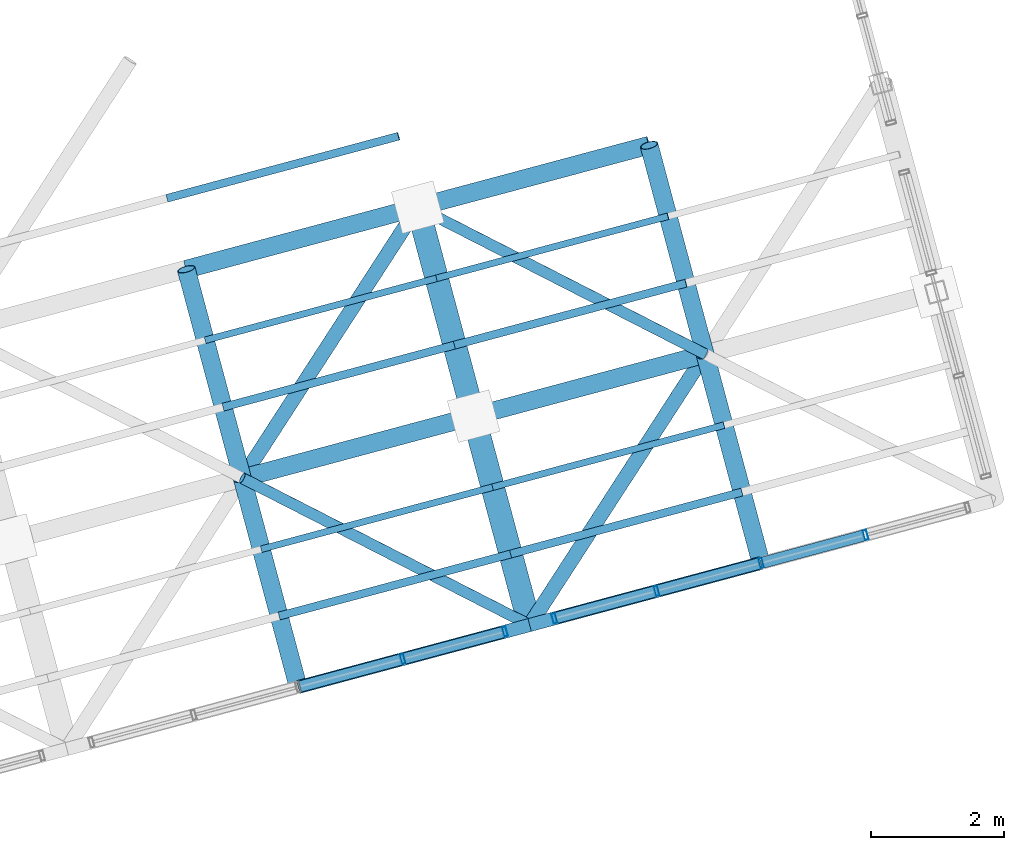
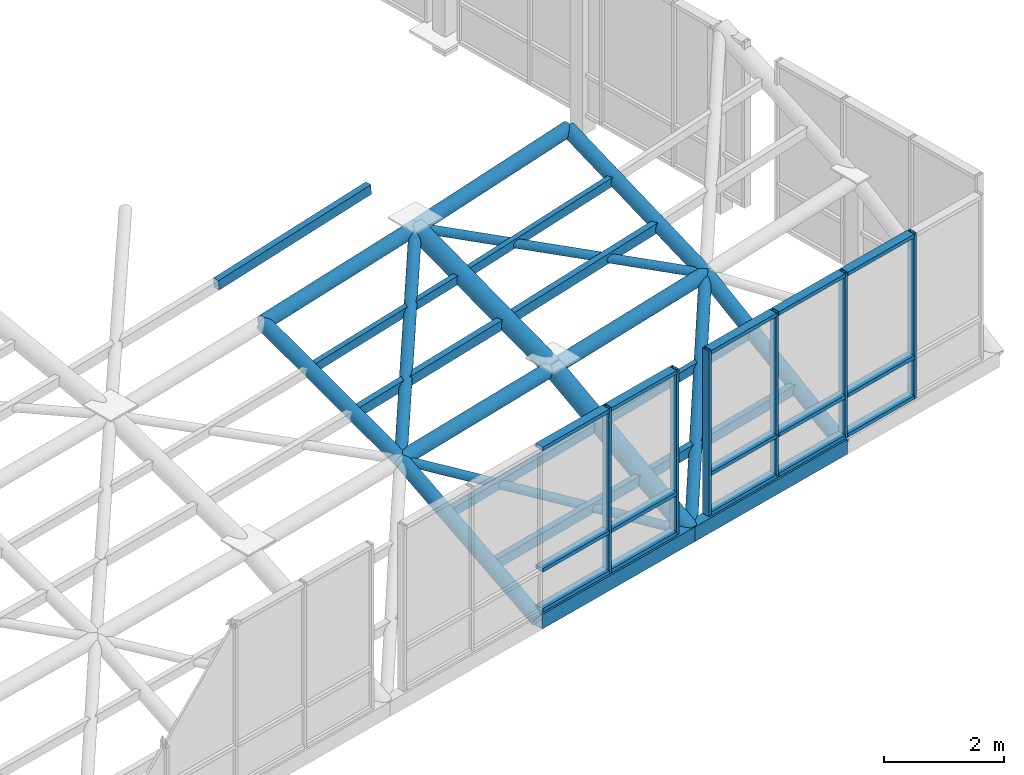
# One storey, part 15 of 29: 46 members, 2 elements without a shape of their own.
"""IFC4 building model written with IfcOpenShell, lengths in metres."""

from ifc_helpers import new_model, si_unit, direction, frame, origin, origin_2d, place, context, subcontext, project, spatial, hollow_rectangle, hollow_circle, extrude, material, layer, layer_set, material_profile, profile_set, type_object, element, aggregate, save


model = new_model("IFC4")

# Units and contexts
model_context = context("Model", 3, precision=1e-05, world=origin(), true_north=direction((0.0, 1.0)))
body_context = subcontext(model_context, "Body", "Model", "MODEL_VIEW")
ifc_project = project(units=[si_unit("LENGTHUNIT", "METRE"), si_unit("AREAUNIT", "SQUARE_METRE"), si_unit("VOLUMEUNIT", "CUBIC_METRE"), si_unit("PLANEANGLEUNIT", "RADIAN"), si_unit("MASSUNIT", "GRAM", prefix="KILO")], contexts=[model_context])

# Site, building, storey
site_placement = place(None, origin())
site = spatial("IfcSite", under=ifc_project, at=site_placement, CompositionType="ELEMENT")
building_placement = place(site_placement, origin())
building = spatial("IfcBuilding", under=site, at=building_placement, Name="Ventoquebrada Cableway Terminal", CompositionType="ELEMENT")
storey_placement = place(building_placement, frame((0.0, 0.0, 18.89990234375)))
storey = spatial("IfcBuildingStorey", under=building, at=storey_placement, Name="L04", CompositionType="ELEMENT", Elevation=18.89990234375)

# Members
ifc_material_1 = material(Name="Steel ASTM A500 Grade C", Category="steel")
ifc_material_profile_1 = material_profile(ifc_material_1, hollow_circle(Radius=0.109619140625, WallThickness=0.010009765625, at=origin_2d()), Name="CHS219.1X10")
ifc_profile_set_1 = profile_set([ifc_material_profile_1], Name="Steel ASTM A500 Grade C")
member_type_1 = type_object("IfcMemberType", Name="BRC-GS01", PredefinedType="BRACE", material=ifc_profile_set_1)
member_1_placement = place(storey_placement, frame((75.47802734375, 79.446044921875, 2.571044921875), z_axis=(0.523852308936, 0.809042998195, 0.266511135777), x_axis=(-0.839402648036, 0.543510068416, 0.0)))
element("IfcMember", 1, at=member_1_placement, inside=storey, type_object=member_type_1, Name="Saddle gridshell diagrid brace GBR-0364", PredefinedType="BRACE", context=body_context, shape_type="SweptSolid", body=[
    extrude(hollow_circle(Radius=0.109619140625, WallThickness=0.010009765625, at=origin_2d()), origin(), (0.0, 0.0, 1.0), 5.031982421875),
])
member_2_placement = place(storey_placement, frame((79.797119140625, 77.238037109375, 0.920166015625), z_axis=(0.506875613407, 0.78282401163, 0.360920599785), x_axis=(-0.839402648036, 0.543510068416, 0.0)))
element("IfcMember", 2, at=member_2_placement, inside=storey, type_object=member_type_1, Name="Saddle gridshell diagrid brace GBR-0385", PredefinedType="BRACE", context=body_context, shape_type="SweptSolid", body=[
    extrude(hollow_circle(Radius=0.109619140625, WallThickness=0.010009765625, at=origin_2d()), origin(), (0.0, 0.0, 1.0), 5.200439453125),
])
ifc_material_profile_2 = material_profile(ifc_material_1, hollow_circle(Radius=0.084228515625, WallThickness=0.008056640625, at=origin_2d()), Name="CHS168.3X8")
ifc_profile_set_2 = profile_set([ifc_material_profile_2], Name="Steel ASTM A500 Grade C")
member_type_2 = type_object("IfcMemberType", Name="BRC-GS02", PredefinedType="BRACE", material=ifc_profile_set_2)
member_3_placement = place(storey_placement, frame((75.47802734375, 79.446044921875, 2.571044921875), z_axis=(0.842916054534, -0.430915877972, -0.322186329815), x_axis=(0.455188209039, 0.890395246142, 0.0)))
element("IfcMember", 3, at=member_3_placement, inside=storey, type_object=member_type_2, Name="Saddle gridshell diagrid brace GBR-0361", PredefinedType="BRACE", context=body_context, shape_type="SweptSolid", body=[
    extrude(hollow_circle(Radius=0.084228515625, WallThickness=0.008056640625, at=origin_2d()), origin(), (0.0, 0.0, 1.0), 5.1240234375),
])
member_4_placement = place(storey_placement, frame((78.114013671875, 83.51708984375, 3.912109375), z_axis=(0.867766030376, -0.443619692427, -0.224017153396), x_axis=(0.455188209039, 0.890395246142, 0.0)))
element("IfcMember", 4, at=member_4_placement, inside=storey, type_object=member_type_2, Name="Saddle gridshell diagrid brace GBR-0388", PredefinedType="BRACE", context=body_context, shape_type="SweptSolid", body=[
    extrude(hollow_circle(Radius=0.084228515625, WallThickness=0.008056640625, at=origin_2d()), origin(), (0.0, 0.0, 1.0), 4.977294921875),
])
ifc_material_profile_3 = material_profile(ifc_material_1, hollow_circle(Radius=0.177734375, WallThickness=0.012451171875, at=origin_2d()), Name="CHS355.6X12.5")
ifc_profile_set_3 = profile_set([ifc_material_profile_3], Name="Steel ASTM A500 Grade C")
member_type_3 = type_object("IfcMemberType", Name="CHD-GS01", PredefinedType="CHORD", material=ifc_profile_set_3)
member_5_placement = place(storey_placement, frame((79.797119140625, 77.238037109375, 0.920166015625), z_axis=(-0.228276649316, 0.850957634171, 0.473033694596), x_axis=(-0.965851091058, -0.25909779988, 0.0)))
element("IfcMember", 5, at=member_5_placement, inside=storey, type_object=member_type_3, Name="Saddle gridshell arch chord GCH-0079", PredefinedType="CHORD", context=body_context, shape_type="SweptSolid", body=[
    extrude(hollow_circle(Radius=0.177734375, WallThickness=0.012451171875, at=origin_2d()), origin(), (0.0, 0.0, 1.0), 3.688720703125),
])
member_6_placement = place(storey_placement, frame((78.955078125, 80.376953125, 2.6650390625), z_axis=(-0.24155923497, 0.901867889749, 0.358166784391), x_axis=(-0.965951403156, -0.258723572063, 0.0)))
element("IfcMember", 6, at=member_6_placement, inside=storey, type_object=member_type_3, Name="Saddle gridshell arch chord GCH-0080", PredefinedType="CHORD", context=body_context, shape_type="SweptSolid", body=[
    extrude(hollow_circle(Radius=0.177734375, WallThickness=0.012451171875, at=origin_2d()), origin(), (0.0, 0.0, 1.0), 3.48193359375),
])
ifc_material_profile_4 = material_profile(ifc_material_1, hollow_circle(Radius=0.136474609375, WallThickness=0.012451171875, at=origin_2d()), Name="CHS273.0X12.5")
ifc_profile_set_4 = profile_set([ifc_material_profile_4], Name="Steel ASTM A500 Grade C")
member_type_4 = type_object("IfcMemberType", Name="CHD-GS02", PredefinedType="CHORD", material=ifc_profile_set_4)
member_7_placement = place(storey_placement, frame((76.319091796875, 76.305908203125, 0.920166015625), z_axis=(-0.230681998536, 0.861257435464, 0.452792938781), x_axis=(-0.965951403156, -0.258723572063, 0.0)))
element("IfcMember", 7, at=member_7_placement, inside=storey, type_object=member_type_4, Name="Saddle gridshell arch chord GCH-0071", PredefinedType="CHORD", context=body_context, shape_type="SweptSolid", body=[
    extrude(hollow_circle(Radius=0.136474609375, WallThickness=0.012451171875, at=origin_2d()), origin(), (0.0, 0.0, 1.0), 3.64599609375),
])
member_8_placement = place(storey_placement, frame((75.47802734375, 79.446044921875, 2.571044921875), z_axis=(-0.243300598354, 0.908016195366, 0.341044583295), x_axis=(-0.965926253902, -0.258817449225, 0.0)))
element("IfcMember", 8, at=member_8_placement, inside=storey, type_object=member_type_4, Name="Saddle gridshell arch chord GCH-0072", PredefinedType="CHORD", context=body_context, shape_type="SweptSolid", body=[
    extrude(hollow_circle(Radius=0.136474609375, WallThickness=0.012451171875, at=origin_2d()), origin(), (0.0, 0.0, 1.0), 3.456787109375),
])
member_9_placement = place(storey_placement, frame((83.27392578125, 78.169921875, 0.920166015625), z_axis=(-0.224045488888, 0.836462513392, 0.500134064626), x_axis=(-0.965950063137, -0.258728575007, 0.0)))
element("IfcMember", 9, at=member_9_placement, inside=storey, type_object=member_type_4, Name="Saddle gridshell arch chord GCH-0087", PredefinedType="CHORD", context=body_context, shape_type="SweptSolid", body=[
    extrude(hollow_circle(Radius=0.136474609375, WallThickness=0.012451171875, at=origin_2d()), origin(), (0.0, 0.0, 1.0), 3.7529296875),
])
member_10_placement = place(storey_placement, frame((82.43310546875, 81.30908203125, 2.797119140625), z_axis=(-0.239245616629, 0.892882697532, 0.381473489737), x_axis=(-0.965926253902, -0.258817449225, 0.0)))
element("IfcMember", 10, at=member_10_placement, inside=storey, type_object=member_type_4, Name="Saddle gridshell arch chord GCH-0088", PredefinedType="CHORD", context=body_context, shape_type="SweptSolid", body=[
    extrude(hollow_circle(Radius=0.136474609375, WallThickness=0.012451171875, at=origin_2d()), origin(), (0.0, 0.0, 1.0), 3.515380859375),
])
member_11_placement = place(storey_placement, frame((75.47802734375, 79.446044921875, 2.571044921875), z_axis=(0.965649742818, 0.258532682865, 0.026104139235), x_axis=(-0.258620813366, 0.965978920523, 0.0)))
element("IfcMember", 11, at=member_11_placement, inside=storey, type_object=member_type_4, Name="Saddle gridshell longitudinal chord GLG-0120", PredefinedType="CHORD", context=body_context, shape_type="SweptSolid", body=[
    extrude(hollow_circle(Radius=0.136474609375, WallThickness=0.012451171875, at=origin_2d()), origin(), (0.0, 0.0, 1.0), 3.600830078125),
])
member_12_placement = place(storey_placement, frame((78.955078125, 80.376953125, 2.6650390625), z_axis=(0.965263172552, 0.258695408733, 0.036656421195), x_axis=(-0.258869387716, 0.96591233562, 0.0)))
element("IfcMember", 12, at=member_12_placement, inside=storey, type_object=member_type_4, Name="Saddle gridshell longitudinal chord GLG-0121", PredefinedType="CHORD", context=body_context, shape_type="SweptSolid", body=[
    extrude(hollow_circle(Radius=0.136474609375, WallThickness=0.012451171875, at=origin_2d()), origin(), (0.0, 0.0, 1.0), 3.603271484375),
])
member_13_placement = place(storey_placement, frame((74.636962890625, 82.5849609375, 3.75), z_axis=(0.964916257335, 0.258675064633, 0.044986967762), x_axis=(-0.258937219442, 0.965894153822, 0.0)))
element("IfcMember", 13, at=member_13_placement, inside=storey, type_object=member_type_4, Name="Saddle gridshell longitudinal chord GLG-0130", PredefinedType="CHORD", context=body_context, shape_type="SweptSolid", body=[
    extrude(hollow_circle(Radius=0.136474609375, WallThickness=0.012451171875, at=origin_2d()), origin(), (0.0, 0.0, 1.0), 3.603515625),
])
member_14_placement = place(storey_placement, frame((78.114013671875, 83.51708984375, 3.912109375), z_axis=(0.964098380168, 0.258044863371, 0.062667071461), x_axis=(-0.258553052639, 0.965997059504, 0.0)))
element("IfcMember", 14, at=member_14_placement, inside=storey, type_object=member_type_4, Name="Saddle gridshell longitudinal chord GLG-0131", PredefinedType="CHORD", context=body_context, shape_type="SweptSolid", body=[
    extrude(hollow_circle(Radius=0.136474609375, WallThickness=0.012451171875, at=origin_2d()), origin(), (0.0, 0.0, 1.0), 3.607666015625),
])
ifc_material_profile_5 = material_profile(ifc_material_1, hollow_rectangle(XDim=0.199951171875, YDim=0.300048828125, WallThickness=0.012451171875, at=origin_2d()), Name="RHS300X200X12.5")
ifc_profile_set_5 = profile_set([ifc_material_profile_5], Name="Steel ASTM A500 Grade C")
member_type_5 = type_object("IfcMemberType", Name="CHD-GS03", PredefinedType="CHORD", material=ifc_profile_set_5)
member_15_placement = place(storey_placement, frame((76.319091796875, 76.305908203125, 0.920166015625), z_axis=(0.96591233562, 0.258869387716, 0.0), x_axis=(-0.258869387716, 0.96591233562, 0.0)))
element("IfcMember", 15, at=member_15_placement, inside=storey, type_object=member_type_5, Name="Saddle gridshell longitudinal chord GLG-0110", PredefinedType="CHORD", context=body_context, shape_type="SweptSolid", body=[
    extrude(hollow_rectangle(XDim=0.199951171875, YDim=0.300048828125, WallThickness=0.012451171875, at=origin_2d()), origin(), (0.0, 0.0, 1.0), 3.600830078125),
])
member_16_placement = place(storey_placement, frame((79.797119140625, 77.238037109375, 0.920166015625), z_axis=(0.965906568722, 0.258890904628, 0.0), x_axis=(-0.258890904628, 0.965906568722, 0.0)))
element("IfcMember", 16, at=member_16_placement, inside=storey, type_object=member_type_5, Name="Saddle gridshell longitudinal chord GLG-0111", PredefinedType="CHORD", context=body_context, shape_type="SweptSolid", body=[
    extrude(hollow_rectangle(XDim=0.199951171875, YDim=0.300048828125, WallThickness=0.012451171875, at=origin_2d()), origin(), (0.0, 0.0, 1.0), 3.599609375),
])

# Curtain wall, members
ifc_material_2 = material(Name="Anodized thermally-broken aluminium", Category="aluminium")
ifc_layer = layer(ifc_material_2, 0.159912109375)
ifc_layer_set = layer_set([ifc_layer], Name="Anodized thermally-broken aluminium")
curtain_wall_type = type_object("IfcCurtainWallType", Name="CW-T45", PredefinedType="USERDEFINED", material=ifc_layer_set)
curtain_wall_1_placement = place(storey_placement, origin())
curtain_wall_1 = element("IfcCurtainWall", 17, at=curtain_wall_1_placement, inside=storey, type_object=curtain_wall_type, Name="Unitised glazed curtain wall CW-136", ObjectType="UNITISED CURTAIN WALL", PredefinedType="USERDEFINED")
ifc_material_profile_6 = material_profile(ifc_material_2, hollow_rectangle(XDim=0.06005859375, YDim=0.14990234375, WallThickness=0.00390625, at=origin_2d()), Name="CW-MUL-60X150")
ifc_profile_set_6 = profile_set([ifc_material_profile_6], Name="Anodized thermally-broken aluminium")
member_type_6 = type_object("IfcMemberType", Name="CWM-03", PredefinedType="MULLION", material=ifc_profile_set_6)
member_17_placement = place(storey_placement, frame((77.888916015625, 76.72705078125, 1.087158203125), z_axis=(0.0, 0.0, 1.0), x_axis=(0.965903236389, 0.258903337047, 0.0)))
member_17 = element("IfcMember", 18, at=member_17_placement, type_object=member_type_6, Name="Curtain wall mullion FML-0664", PredefinedType="MULLION", context=body_context, shape_type="SweptSolid", body=[
    extrude(hollow_rectangle(XDim=0.06005859375, YDim=0.14990234375, WallThickness=0.00390625, at=origin_2d()), origin(), (0.0, 0.0, 1.0), 3.373046875),
])
member_18_placement = place(storey_placement, frame((79.425048828125, 77.138916015625, 1.087158203125), z_axis=(0.0, 0.0, 1.0), x_axis=(0.965903236389, 0.258903337047, 0.0)))
member_18 = element("IfcMember", 19, at=member_18_placement, type_object=member_type_6, Name="Curtain wall mullion FML-0665", PredefinedType="MULLION", context=body_context, shape_type="SweptSolid", body=[
    extrude(hollow_rectangle(XDim=0.06005859375, YDim=0.14990234375, WallThickness=0.00390625, at=origin_2d()), origin(), (0.0, 0.0, 1.0), 3.373046875),
])

curtain_wall_2_placement = place(storey_placement, origin())
curtain_wall_2 = element("IfcCurtainWall", 20, at=curtain_wall_2_placement, inside=storey, type_object=curtain_wall_type, Name="Unitised glazed curtain wall CW-137", ObjectType="UNITISED CURTAIN WALL", PredefinedType="USERDEFINED")
member_19_placement = place(storey_placement, frame((80.1689453125, 77.337890625, 1.087158203125), z_axis=(0.0, 0.0, 1.0), x_axis=(0.96593486019, 0.258785327773, 0.0)))
member_19 = element("IfcMember", 21, at=member_19_placement, type_object=member_type_6, Name="Curtain wall mullion FML-0666", PredefinedType="MULLION", context=body_context, shape_type="SweptSolid", body=[
    extrude(hollow_rectangle(XDim=0.06005859375, YDim=0.14990234375, WallThickness=0.00390625, at=origin_2d()), origin(), (0.0, 0.0, 1.0), 3.373046875),
])
member_20_placement = place(storey_placement, frame((81.7041015625, 77.7490234375, 1.087158203125), z_axis=(0.0, 0.0, 1.0), x_axis=(0.96593486019, 0.258785327773, 0.0)))
member_20 = element("IfcMember", 22, at=member_20_placement, type_object=member_type_6, Name="Curtain wall mullion FML-0667", PredefinedType="MULLION", context=body_context, shape_type="SweptSolid", body=[
    extrude(hollow_rectangle(XDim=0.06005859375, YDim=0.14990234375, WallThickness=0.00390625, at=origin_2d()), origin(), (0.0, 0.0, 1.0), 3.373046875),
])
member_21_placement = place(storey_placement, frame((83.27392578125, 78.169921875, 1.087158203125), z_axis=(0.0, 0.0, 1.0), x_axis=(0.96593486019, 0.258785327773, 0.0)))
member_21 = element("IfcMember", 23, at=member_21_placement, type_object=member_type_6, Name="Curtain wall mullion FML-0668", PredefinedType="MULLION", context=body_context, shape_type="SweptSolid", body=[
    extrude(hollow_rectangle(XDim=0.06005859375, YDim=0.14990234375, WallThickness=0.00390625, at=origin_2d()), origin(), (0.0, 0.0, 1.0), 3.373046875),
])
member_22_placement = place(storey_placement, frame((84.843994140625, 78.590087890625, 1.087158203125), z_axis=(0.0, 0.0, 1.0), x_axis=(0.96593486019, 0.258785327773, 0.0)))
member_22 = element("IfcMember", 24, at=member_22_placement, type_object=member_type_6, Name="Curtain wall mullion FML-0669", PredefinedType="MULLION", context=body_context, shape_type="SweptSolid", body=[
    extrude(hollow_rectangle(XDim=0.06005859375, YDim=0.14990234375, WallThickness=0.00390625, at=origin_2d()), origin(), (0.0, 0.0, 1.0), 3.373046875),
])

# Member
ifc_material_profile_7 = material_profile(ifc_material_2, hollow_rectangle(XDim=0.074951171875, YDim=0.169921875, WallThickness=0.00439453125, at=origin_2d()), Name="CW-TRN-75X170")
ifc_profile_set_7 = profile_set([ifc_material_profile_7], Name="Anodized thermally-broken aluminium")
member_type_7 = type_object("IfcMemberType", Name="CWT-03", PredefinedType="USERDEFINED", material=ifc_profile_set_7)
member_23_placement = place(storey_placement, frame((76.343994140625, 76.31298828125, 1.130126953125), z_axis=(0.965860816082, 0.259061544731, 0.0), x_axis=(0.0, 0.0, 1.0)))
member_23 = element("IfcMember", 25, at=member_23_placement, type_object=member_type_7, Name="Curtain wall transom FTR-1962", ObjectType="TRANSOM", PredefinedType="USERDEFINED", context=body_context, shape_type="SweptSolid", body=[
    extrude(hollow_rectangle(XDim=0.074951171875, YDim=0.169921875, WallThickness=0.00439453125, at=origin_2d()), origin(), (0.0, 0.0, 1.0), 1.57470703125),
])

member_24_placement = place(storey_placement, frame((76.343994140625, 76.31298828125, 1.945068359375), z_axis=(0.965860816082, 0.259061544731, 0.0), x_axis=(0.0, 0.0, 1.0)))
member_24 = element("IfcMember", 26, at=member_24_placement, type_object=member_type_7, Name="Curtain wall transom FTR-1963", ObjectType="TRANSOM", PredefinedType="USERDEFINED", context=body_context, shape_type="SweptSolid", body=[
    extrude(hollow_rectangle(XDim=0.074951171875, YDim=0.169921875, WallThickness=0.00439453125, at=origin_2d()), origin(), (0.0, 0.0, 1.0), 1.57470703125),
])

member_25_placement = place(storey_placement, frame((76.343994140625, 76.31298828125, 4.420166015625), z_axis=(0.965860816082, 0.259061544731, 0.0), x_axis=(0.0, 0.0, 1.0)))
member_25 = element("IfcMember", 27, at=member_25_placement, type_object=member_type_7, Name="Curtain wall transom FTR-1964", ObjectType="TRANSOM", PredefinedType="USERDEFINED", context=body_context, shape_type="SweptSolid", body=[
    extrude(hollow_rectangle(XDim=0.074951171875, YDim=0.169921875, WallThickness=0.00439453125, at=origin_2d()), origin(), (0.0, 0.0, 1.0), 1.57470703125),
])

member_26_placement = place(storey_placement, frame((77.9130859375, 76.73388671875, 1.130126953125), z_axis=(0.966000383253, 0.258540634244, 0.0), x_axis=(0.0, 0.0, 1.0)))
member_26 = element("IfcMember", 28, at=member_26_placement, type_object=member_type_7, Name="Curtain wall transom FTR-1965", ObjectType="TRANSOM", PredefinedType="USERDEFINED", context=body_context, shape_type="SweptSolid", body=[
    extrude(hollow_rectangle(XDim=0.074951171875, YDim=0.169921875, WallThickness=0.00439453125, at=origin_2d()), origin(), (0.0, 0.0, 1.0), 1.5400390625),
])

member_27_placement = place(storey_placement, frame((77.9130859375, 76.73388671875, 1.945068359375), z_axis=(0.966000383253, 0.258540634244, 0.0), x_axis=(0.0, 0.0, 1.0)))
member_27 = element("IfcMember", 29, at=member_27_placement, type_object=member_type_7, Name="Curtain wall transom FTR-1966", ObjectType="TRANSOM", PredefinedType="USERDEFINED", context=body_context, shape_type="SweptSolid", body=[
    extrude(hollow_rectangle(XDim=0.074951171875, YDim=0.169921875, WallThickness=0.00439453125, at=origin_2d()), origin(), (0.0, 0.0, 1.0), 1.5400390625),
])

member_28_placement = place(storey_placement, frame((77.9130859375, 76.73388671875, 4.420166015625), z_axis=(0.966000383253, 0.258540634244, 0.0), x_axis=(0.0, 0.0, 1.0)))
member_28 = element("IfcMember", 30, at=member_28_placement, type_object=member_type_7, Name="Curtain wall transom FTR-1967", ObjectType="TRANSOM", PredefinedType="USERDEFINED", context=body_context, shape_type="SweptSolid", body=[
    extrude(hollow_rectangle(XDim=0.074951171875, YDim=0.169921875, WallThickness=0.00439453125, at=origin_2d()), origin(), (0.0, 0.0, 1.0), 1.5400390625),
])

aggregate(curtain_wall_1, [member_17, member_18, member_23, member_24, member_25, member_26, member_27, member_28])

member_29_placement = place(storey_placement, frame((80.193115234375, 77.344970703125, 1.130126953125), z_axis=(0.965997587881, 0.25855107853, 0.0), x_axis=(0.0, 0.0, 1.0)))
member_29 = element("IfcMember", 31, at=member_29_placement, type_object=member_type_7, Name="Curtain wall transom FTR-1968", ObjectType="TRANSOM", PredefinedType="USERDEFINED", context=body_context, shape_type="SweptSolid", body=[
    extrude(hollow_rectangle(XDim=0.074951171875, YDim=0.169921875, WallThickness=0.00439453125, at=origin_2d()), origin(), (0.0, 0.0, 1.0), 1.5390625),
])

member_30_placement = place(storey_placement, frame((80.193115234375, 77.344970703125, 1.945068359375), z_axis=(0.965997587881, 0.25855107853, 0.0), x_axis=(0.0, 0.0, 1.0)))
member_30 = element("IfcMember", 32, at=member_30_placement, type_object=member_type_7, Name="Curtain wall transom FTR-1969", ObjectType="TRANSOM", PredefinedType="USERDEFINED", context=body_context, shape_type="SweptSolid", body=[
    extrude(hollow_rectangle(XDim=0.074951171875, YDim=0.169921875, WallThickness=0.00439453125, at=origin_2d()), origin(), (0.0, 0.0, 1.0), 1.5390625),
])

member_31_placement = place(storey_placement, frame((80.193115234375, 77.344970703125, 4.420166015625), z_axis=(0.965997587881, 0.25855107853, 0.0), x_axis=(0.0, 0.0, 1.0)))
member_31 = element("IfcMember", 33, at=member_31_placement, type_object=member_type_7, Name="Curtain wall transom FTR-1970", ObjectType="TRANSOM", PredefinedType="USERDEFINED", context=body_context, shape_type="SweptSolid", body=[
    extrude(hollow_rectangle(XDim=0.074951171875, YDim=0.169921875, WallThickness=0.00439453125, at=origin_2d()), origin(), (0.0, 0.0, 1.0), 1.5390625),
])

member_32_placement = place(storey_placement, frame((81.72900390625, 77.756103515625, 1.130126953125), z_axis=(0.965860816082, 0.259061544731, 0.0), x_axis=(0.0, 0.0, 1.0)))
member_32 = element("IfcMember", 34, at=member_32_placement, type_object=member_type_7, Name="Curtain wall transom FTR-1971", ObjectType="TRANSOM", PredefinedType="USERDEFINED", context=body_context, shape_type="SweptSolid", body=[
    extrude(hollow_rectangle(XDim=0.074951171875, YDim=0.169921875, WallThickness=0.00439453125, at=origin_2d()), origin(), (0.0, 0.0, 1.0), 1.57470703125),
])

member_33_placement = place(storey_placement, frame((81.72900390625, 77.756103515625, 1.945068359375), z_axis=(0.965860816082, 0.259061544731, 0.0), x_axis=(0.0, 0.0, 1.0)))
member_33 = element("IfcMember", 35, at=member_33_placement, type_object=member_type_7, Name="Curtain wall transom FTR-1972", ObjectType="TRANSOM", PredefinedType="USERDEFINED", context=body_context, shape_type="SweptSolid", body=[
    extrude(hollow_rectangle(XDim=0.074951171875, YDim=0.169921875, WallThickness=0.00439453125, at=origin_2d()), origin(), (0.0, 0.0, 1.0), 1.57470703125),
])

member_34_placement = place(storey_placement, frame((81.72900390625, 77.756103515625, 4.420166015625), z_axis=(0.965860816082, 0.259061544731, 0.0), x_axis=(0.0, 0.0, 1.0)))
member_34 = element("IfcMember", 36, at=member_34_placement, type_object=member_type_7, Name="Curtain wall transom FTR-1973", ObjectType="TRANSOM", PredefinedType="USERDEFINED", context=body_context, shape_type="SweptSolid", body=[
    extrude(hollow_rectangle(XDim=0.074951171875, YDim=0.169921875, WallThickness=0.00439453125, at=origin_2d()), origin(), (0.0, 0.0, 1.0), 1.57470703125),
])

member_35_placement = place(storey_placement, frame((83.298095703125, 78.176025390625, 1.130126953125), z_axis=(0.965860816082, 0.259061544731, 0.0), x_axis=(0.0, 0.0, 1.0)))
member_35 = element("IfcMember", 37, at=member_35_placement, type_object=member_type_7, Name="Curtain wall transom FTR-1974", ObjectType="TRANSOM", PredefinedType="USERDEFINED", context=body_context, shape_type="SweptSolid", body=[
    extrude(hollow_rectangle(XDim=0.074951171875, YDim=0.169921875, WallThickness=0.00439453125, at=origin_2d()), origin(), (0.0, 0.0, 1.0), 1.57470703125),
])

member_36_placement = place(storey_placement, frame((83.298095703125, 78.176025390625, 1.945068359375), z_axis=(0.965860816082, 0.259061544731, 0.0), x_axis=(0.0, 0.0, 1.0)))
member_36 = element("IfcMember", 38, at=member_36_placement, type_object=member_type_7, Name="Curtain wall transom FTR-1975", ObjectType="TRANSOM", PredefinedType="USERDEFINED", context=body_context, shape_type="SweptSolid", body=[
    extrude(hollow_rectangle(XDim=0.074951171875, YDim=0.169921875, WallThickness=0.00439453125, at=origin_2d()), origin(), (0.0, 0.0, 1.0), 1.57470703125),
])

member_37_placement = place(storey_placement, frame((83.298095703125, 78.176025390625, 4.420166015625), z_axis=(0.965860816082, 0.259061544731, 0.0), x_axis=(0.0, 0.0, 1.0)))
member_37 = element("IfcMember", 39, at=member_37_placement, type_object=member_type_7, Name="Curtain wall transom FTR-1976", ObjectType="TRANSOM", PredefinedType="USERDEFINED", context=body_context, shape_type="SweptSolid", body=[
    extrude(hollow_rectangle(XDim=0.074951171875, YDim=0.169921875, WallThickness=0.00439453125, at=origin_2d()), origin(), (0.0, 0.0, 1.0), 1.57470703125),
])

aggregate(curtain_wall_2, [member_19, member_20, member_21, member_22, member_29, member_30, member_31, member_32, member_33, member_34, member_35, member_36, member_37])

# Members
ifc_material_profile_8 = material_profile(ifc_material_1, hollow_rectangle(XDim=0.1201171875, YDim=0.199951171875, WallThickness=0.008056640625, at=origin_2d()), Name="RHS200X120X8")
ifc_profile_set_8 = profile_set([ifc_material_profile_8], Name="Steel ASTM A500 Grade C")
member_type_8 = type_object("IfcMemberType", Name="PUR-RF01", PredefinedType="PURLIN", material=ifc_profile_set_8)
member_38_placement = place(storey_placement, frame((76.032958984375, 77.3740234375, 1.481201171875), z_axis=(0.965958950428, 0.258542852589, 0.008882537028), x_axis=(-0.258553052639, 0.965997059504, 0.0)))
element("IfcMember", 40, at=member_38_placement, inside=storey, type_object=member_type_8, Name="Gridshell secondary roof purlin GPR-0362", PredefinedType="PURLIN", context=body_context, shape_type="SweptSolid", body=[
    extrude(hollow_rectangle(XDim=0.1201171875, YDim=0.199951171875, WallThickness=0.008056640625, at=origin_2d()), origin(), (0.0, 0.0, 1.0), 3.6005859375),
])
member_39_placement = place(storey_placement, frame((75.19189453125, 80.512939453125, 2.97216796875), z_axis=(0.9653848885, 0.258800695429, 0.032468709563), x_axis=(-0.258937219442, 0.965894153822, 0.0)))
element("IfcMember", 41, at=member_39_placement, inside=storey, type_object=member_type_8, Name="Gridshell secondary roof purlin GPR-0365", PredefinedType="PURLIN", context=body_context, shape_type="SweptSolid", body=[
    extrude(hollow_rectangle(XDim=0.1201171875, YDim=0.199951171875, WallThickness=0.008056640625, at=origin_2d()), origin(), (0.0, 0.0, 1.0), 3.601806640625),
])
member_40_placement = place(storey_placement, frame((74.35107421875, 83.652099609375, 3.989990234375), z_axis=(0.96475368149, 0.258581897497, 0.048844000025), x_axis=(-0.258890904628, 0.965906568722, 0.0)))
element("IfcMember", 42, at=member_40_placement, inside=storey, type_object=member_type_8, Name="Gridshell secondary roof purlin GPR-0368", PredefinedType="PURLIN", context=body_context, shape_type="SweptSolid", body=[
    extrude(hollow_rectangle(XDim=0.1201171875, YDim=0.199951171875, WallThickness=0.008056640625, at=origin_2d()), origin(), (0.0, 0.0, 1.0), 3.603759765625),
])
member_41_placement = place(storey_placement, frame((79.510986328125, 78.304931640625, 1.51318359375), z_axis=(0.965818956637, 0.258917060556, 0.012477930629), x_axis=(-0.258937219442, 0.965894153822, 0.0)))
element("IfcMember", 43, at=member_41_placement, inside=storey, type_object=member_type_8, Name="Gridshell secondary roof purlin GPR-0386", PredefinedType="PURLIN", context=body_context, shape_type="SweptSolid", body=[
    extrude(hollow_rectangle(XDim=0.1201171875, YDim=0.199951171875, WallThickness=0.008056640625, at=origin_2d()), origin(), (0.0, 0.0, 1.0), 3.60009765625),
])
member_42_placement = place(storey_placement, frame((78.6689453125, 81.445068359375, 3.089111328125), z_axis=(0.964995736001, 0.258285044319, 0.045519944868), x_axis=(-0.258553052639, 0.965997059504, 0.0)))
element("IfcMember", 44, at=member_42_placement, inside=storey, type_object=member_type_8, Name="Gridshell secondary roof purlin GPR-0389", PredefinedType="PURLIN", context=body_context, shape_type="SweptSolid", body=[
    extrude(hollow_rectangle(XDim=0.1201171875, YDim=0.199951171875, WallThickness=0.008056640625, at=origin_2d()), origin(), (0.0, 0.0, 1.0), 3.604248046875),
])
ifc_material_profile_9 = material_profile(ifc_material_1, hollow_rectangle(XDim=0.10009765625, YDim=0.179931640625, WallThickness=0.008056640625, at=origin_2d()), Name="RHS180X100X8")
ifc_profile_set_9 = profile_set([ifc_material_profile_9], Name="Steel ASTM A500 Grade C")
member_type_9 = type_object("IfcMemberType", Name="PUR-RF02", PredefinedType="PURLIN", material=ifc_profile_set_9)
member_43_placement = place(storey_placement, frame((75.763916015625, 78.3779296875, 2.010009765625), z_axis=(0.965750873205, 0.258898808727, 0.017223755217), x_axis=(-0.258937219442, 0.965894153822, 0.0)))
element("IfcMember", 45, at=member_43_placement, inside=storey, type_object=member_type_9, Name="Gridshell secondary roof purlin GPR-0363", PredefinedType="PURLIN", context=body_context, shape_type="SweptSolid", body=[
    extrude(hollow_rectangle(XDim=0.10009765625, YDim=0.179931640625, WallThickness=0.008056640625, at=origin_2d()), origin(), (0.0, 0.0, 1.0), 3.600341796875),
])
member_44_placement = place(storey_placement, frame((74.923095703125, 81.51806640625, 3.34912109375), z_axis=(0.965255720154, 0.258445338175, 0.038566849573), x_axis=(-0.258637758898, 0.965974383549, 0.0)))
element("IfcMember", 46, at=member_44_placement, inside=storey, type_object=member_type_9, Name="Gridshell secondary roof purlin GPR-0366", PredefinedType="PURLIN", context=body_context, shape_type="SweptSolid", body=[
    extrude(hollow_rectangle(XDim=0.10009765625, YDim=0.179931640625, WallThickness=0.008056640625, at=origin_2d()), origin(), (0.0, 0.0, 1.0), 3.60205078125),
])
member_45_placement = place(storey_placement, frame((79.240966796875, 79.31005859375, 2.072021484375), z_axis=(0.965646431256, 0.258730340313, 0.024198776917), x_axis=(-0.25880612736, 0.965929287495, 0.0)))
element("IfcMember", 47, at=member_45_placement, inside=storey, type_object=member_type_9, Name="Gridshell secondary roof purlin GPR-0387", PredefinedType="PURLIN", context=body_context, shape_type="SweptSolid", body=[
    extrude(hollow_rectangle(XDim=0.10009765625, YDim=0.179931640625, WallThickness=0.008056640625, at=origin_2d()), origin(), (0.0, 0.0, 1.0), 3.601806640625),
])
member_46_placement = place(storey_placement, frame((78.39990234375, 82.448974609375, 3.488037109375), z_axis=(0.9645121475, 0.258494130223, 0.053824733768), x_axis=(-0.258869387716, 0.96591233562, 0.0)))
element("IfcMember", 48, at=member_46_placement, inside=storey, type_object=member_type_9, Name="Gridshell secondary roof purlin GPR-0390", PredefinedType="PURLIN", context=body_context, shape_type="SweptSolid", body=[
    extrude(hollow_rectangle(XDim=0.10009765625, YDim=0.179931640625, WallThickness=0.008056640625, at=origin_2d()), origin(), (0.0, 0.0, 1.0), 3.60595703125),
])

save(model, "model.ifc")
